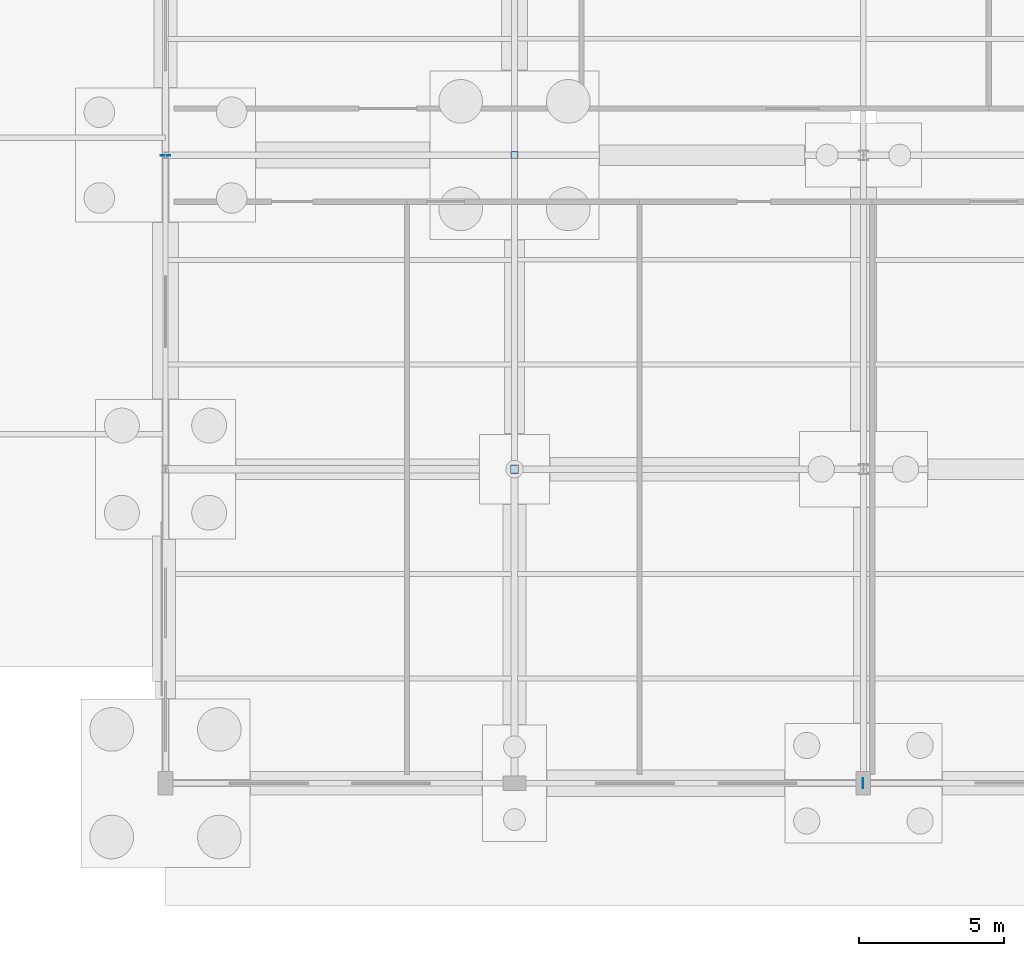
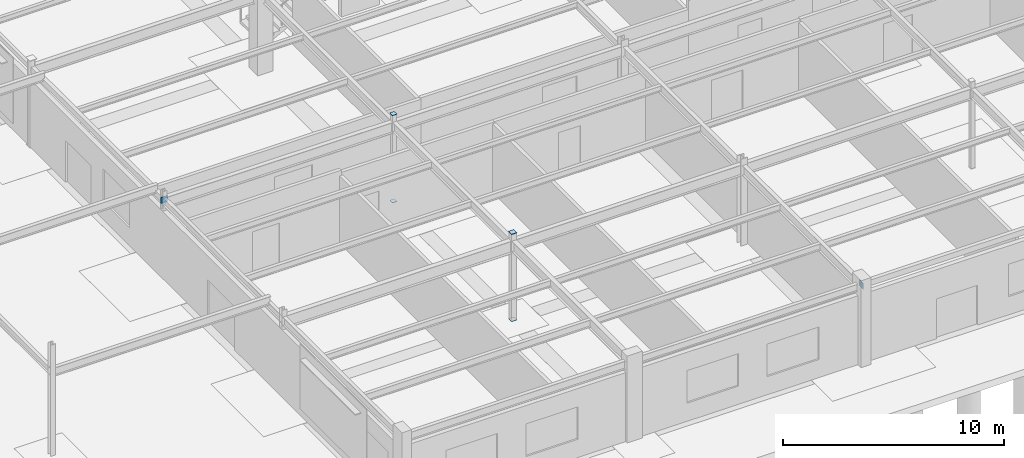
# One storey, part 89 of 136: 6 plates.
"""IFC4 building model written with IfcOpenShell, lengths in metres."""

from ifc_helpers import new_model, si_unit, direction, frame, origin, origin_2d, place, context, subcontext, project, spatial, rectangle, extrude, material, layer, layer_set, type_object, element, save


model = new_model("IFC4")

# Units and contexts
model_context = context("Model", 3, precision=1e-05, world=origin(), true_north=direction((0.0, 1.0)))
body_context = subcontext(model_context, "Body", "Model", "MODEL_VIEW")
ifc_project = project(units=[si_unit("LENGTHUNIT", "METRE"), si_unit("AREAUNIT", "SQUARE_METRE"), si_unit("VOLUMEUNIT", "CUBIC_METRE"), si_unit("PLANEANGLEUNIT", "RADIAN"), si_unit("MASSUNIT", "GRAM", prefix="KILO")], contexts=[model_context])

# Site, building, storey
site_placement = place(None, origin())
site = spatial("IfcSite", under=ifc_project, at=site_placement, CompositionType="ELEMENT")
building_placement = place(site_placement, origin())
building = spatial("IfcBuilding", under=site, at=building_placement, Name="Tarnwether General Hospital", CompositionType="ELEMENT")
storey_placement = place(building_placement, frame((0.0, 0.0, -4.800048828125)))
storey = spatial("IfcBuildingStorey", under=building, at=storey_placement, Name="LG", CompositionType="ELEMENT", Elevation=-4.800048828125)

# Plates
ifc_material = material(Name="Steel Grade 350 (350 MPa)", Category="steel")
ifc_layer = layer(ifc_material, 0.02490234375)
ifc_layer_set = layer_set([ifc_layer], Name="Steel Grade 350 (350 MPa)")
plate_type = type_object("IfcPlateType", Name="PT-GUS2", PredefinedType="USERDEFINED", material=ifc_layer_set)
for number, where, z_axis, x_axis, name in (
    (1, (12.0, 10.800048828125, -0.02490234375), (0.0, 0.0, 1.0), (1.0, 0.0, 0.0), "Hollow Section Welded End Cap Plate 0033"),
    (2, (12.0, 10.800048828125, 4.800048828125), (0.0, 0.0, 1.0), (1.0, 0.0, 0.0), "Hollow Section Welded End Cap Plate 0034"),
):
    element("IfcPlate", number, at=place(storey_placement, frame(where, z_axis=z_axis, x_axis=x_axis)), inside=storey, type_object=plate_type, Name=name, ObjectType="GUSSET", PredefinedType="USERDEFINED", context=body_context, shape_type="SweptSolid", body=[
        extrude(rectangle(XDim=0.2900390625, YDim=0.2900390625, at=origin_2d()), origin(), (0.0, 0.0, 1.0), 0.02490234375),
    ])
for number, where, z_axis, x_axis, name in (
    (3, (12.0, 21.60009765625, -0.02490234375), (0.0, 0.0, 1.0), (1.0, 0.0, 0.0), "Hollow Section Welded End Cap Plate 0037"),
    (4, (12.0, 21.60009765625, 4.800048828125), (0.0, 0.0, 1.0), (1.0, 0.0, 0.0), "Hollow Section Welded End Cap Plate 0038"),
):
    element("IfcPlate", number, at=place(storey_placement, frame(where, z_axis=z_axis, x_axis=x_axis)), inside=storey, type_object=plate_type, Name=name, ObjectType="GUSSET", PredefinedType="USERDEFINED", context=body_context, shape_type="SweptSolid", body=[
        extrude(rectangle(XDim=0.239990234375, YDim=0.239990234375, at=origin_2d()), origin(), (0.0, 0.0, 1.0), 0.02490234375),
    ])
for number, where, z_axis, x_axis, name in (
    (5, (0.0, 21.58740234375, 4.10986328125), (0.0, 0.0, 1.0), (0.0, 1.0, 0.0), "Hollow Section Welded End Cap Plate 0805"),
    (6, (23.987548828125, 0.0, 4.10986328125), (0.0, 0.0, 1.0), (1.0, 0.0, 0.0), "Hollow Section Welded End Cap Plate 0817"),
):
    element("IfcPlate", number, at=place(storey_placement, frame(where, z_axis=z_axis, x_axis=x_axis)), inside=storey, type_object=plate_type, Name=name, ObjectType="GUSSET", PredefinedType="USERDEFINED", context=body_context, shape_type="SweptSolid", body=[
        extrude(rectangle(XDim=0.02490234375, YDim=0.340087890625, at=origin_2d()), origin(), (0.0, 0.0, 1.0), 0.340087890625),
    ])

save(model, "model.ifc")
